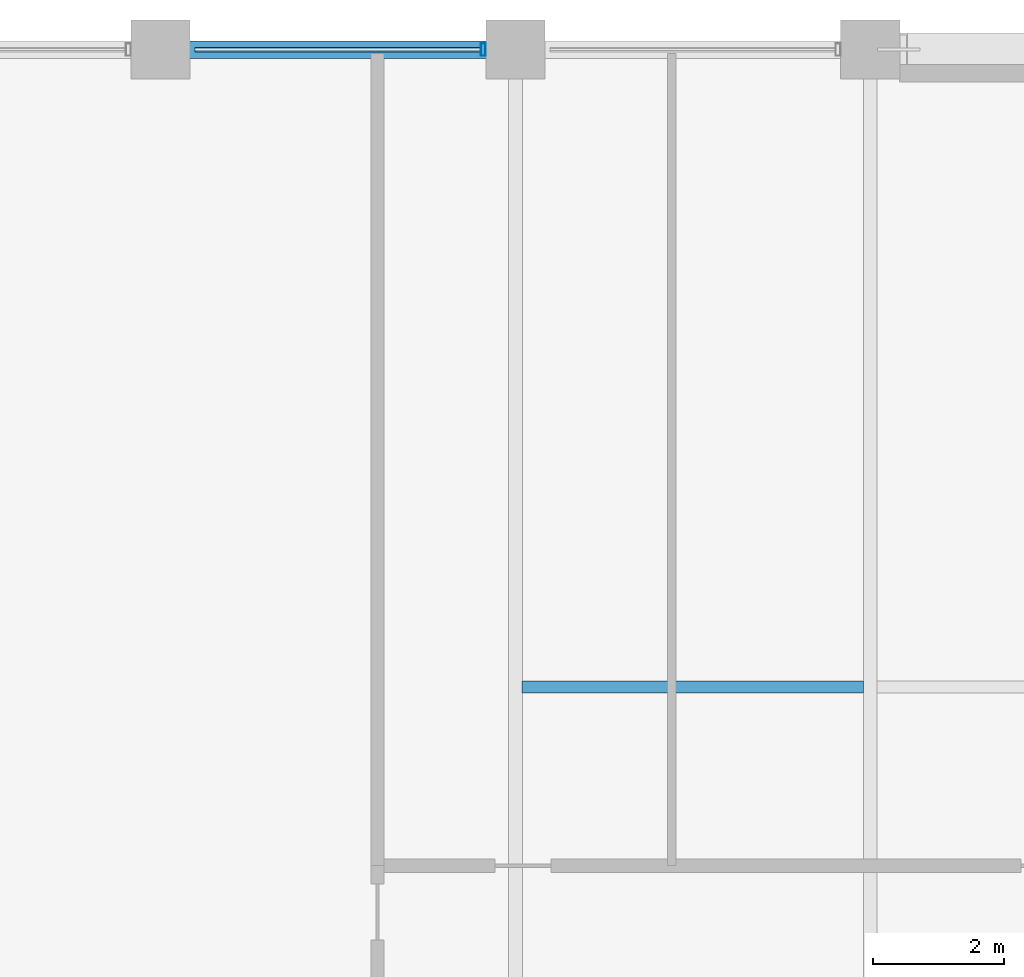
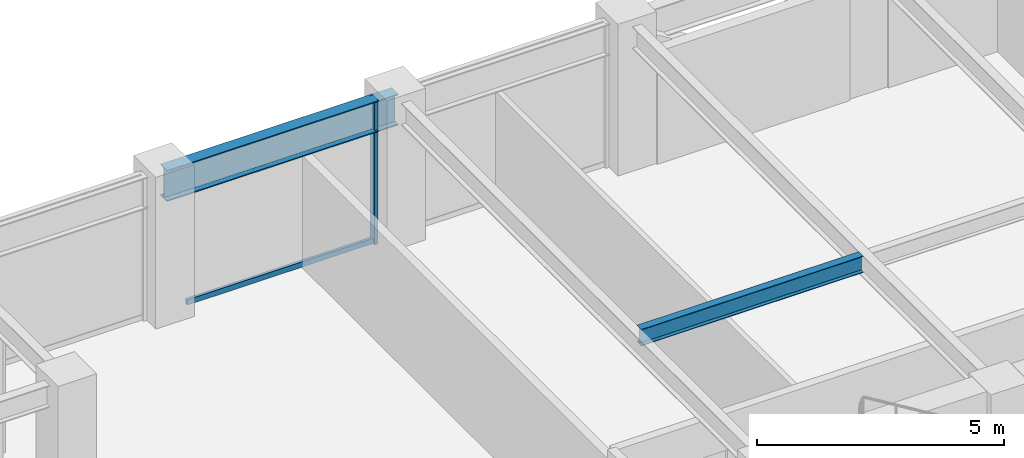
# One storey, part 19 of 32: 2 beams, 2 members, 1 element without a shape of its own.
"""IFC4 building model written with IfcOpenShell, lengths in metres."""

from ifc_helpers import new_model, si_unit, direction, frame, origin, origin_2d, place, context, subcontext, project, spatial, hollow_rectangle, i_section, extrude, material, layer, layer_set, material_profile, profile_set, type_object, element, aggregate, save


model = new_model("IFC4")

# Units and contexts
model_context = context("Model", 3, precision=1e-05, world=origin(), true_north=direction((0.0, 1.0)))
body_context = subcontext(model_context, "Body", "Model", "MODEL_VIEW")
ifc_project = project(units=[si_unit("LENGTHUNIT", "METRE"), si_unit("AREAUNIT", "SQUARE_METRE"), si_unit("VOLUMEUNIT", "CUBIC_METRE"), si_unit("PLANEANGLEUNIT", "RADIAN"), si_unit("MASSUNIT", "GRAM", prefix="KILO")], contexts=[model_context])

# Site, building, storey
site_placement = place(None, origin())
site = spatial("IfcSite", under=ifc_project, at=site_placement, CompositionType="ELEMENT")
building_placement = place(site_placement, origin())
building = spatial("IfcBuilding", under=site, at=building_placement, Name="Surkhivell Harbour Commons", CompositionType="ELEMENT")
storey_placement = place(building_placement, frame((0.0, 0.0, 197.25)))
storey = spatial("IfcBuildingStorey", under=building, at=storey_placement, Name="L51", CompositionType="ELEMENT", Elevation=197.25)

# Beams
ifc_material_1 = material(Name="Steel S355", Category="steel")
ifc_material_profile_1 = material_profile(ifc_material_1, i_section(OverallWidth=0.178955078125, OverallDepth=0.408935546875, WebThickness=0.0087890625, FlangeThickness=0.014404296875, at=origin_2d()), Name="UB406x178x67")
ifc_profile_set_1 = profile_set([ifc_material_profile_1], Name="Steel S355")
beam_type_1 = type_object("IfcBeamType", Name="BM-JST-406", PredefinedType="JOIST", material=ifc_profile_set_1)
beam_1_placement = place(storey_placement, frame((-10.696044921875, 16.199951171875, 3.365478515625), z_axis=(1.0, 0.0, 0.0), x_axis=(0.0, 1.0, 0.0)))
element("IfcBeam", 1, at=beam_1_placement, inside=storey, type_object=beam_type_1, Name="L51 North Composite Joist (-10.8)", PredefinedType="JOIST", context=body_context, shape_type="SweptSolid", body=[
    extrude(i_section(OverallWidth=0.178955078125, OverallDepth=0.408935546875, WebThickness=0.0087890625, FlangeThickness=0.014404296875, at=origin_2d()), origin(), (0.0, 0.0, 1.0), 5.192138671875),
])
ifc_material_profile_2 = material_profile(ifc_material_1, i_section(OverallWidth=0.26806640625, OverallDepth=0.77001953125, WebThickness=0.015625, FlangeThickness=0.025390625, at=origin_2d()), Name="UB762x267x197")
ifc_profile_set_2 = profile_set([ifc_material_profile_2], Name="Steel S355")
beam_type_2 = type_object("IfcBeamType", Name="BM-SPN-762", PredefinedType="SPANDREL", material=ifc_profile_set_2)
beam_2_placement = place(storey_placement, frame((-16.199951171875, 25.89990234375, 3.18505859375), z_axis=(1.0, 0.0, 0.0), x_axis=(0.0, 1.0, 0.0)))
element("IfcBeam", 2, at=beam_2_placement, inside=storey, type_object=beam_type_2, Name="L51 Tube Spandrel (-16.2,25.9)", PredefinedType="SPANDREL", context=body_context, shape_type="SweptSolid", body=[
    extrude(i_section(OverallWidth=0.26806640625, OverallDepth=0.77001953125, WebThickness=0.015625, FlangeThickness=0.025390625, at=origin_2d()), origin(), (0.0, 0.0, 1.0), 5.39990234375),
])

# Curtain wall, members
ifc_material_2 = material(Name="Anodised pale-metal aluminium and insulated glazing", Category="aluminium")
ifc_layer = layer(ifc_material_2, 0.18994140625)
ifc_layer_set = layer_set([ifc_layer], Name="Anodised pale-metal aluminium and insulated glazing")
curtain_wall_type = type_object("IfcCurtainWallType", Name="CW-SYS-Z3", PredefinedType="NOTDEFINED", material=ifc_layer_set)
curtain_wall_placement = place(storey_placement, origin())
curtain_wall = element("IfcCurtainWall", 3, at=curtain_wall_placement, inside=storey, type_object=curtain_wall_type, Name="L51 Curtain Wall CW-L51-E07S2", PredefinedType="NOTDEFINED")
ifc_material_3 = material(Name="Anodised pale-metal aluminium alloy 6063-T6", Category="aluminium")
ifc_material_profile_3 = material_profile(ifc_material_3, hollow_rectangle(XDim=0.074951171875, YDim=0.18994140625, WallThickness=0.00390625, at=origin_2d()), Name="ALU-MULL-75x190")
ifc_profile_set_3 = profile_set([ifc_material_profile_3], Name="Anodised pale-metal aluminium alloy 6063-T6")
member_type_1 = type_object("IfcMemberType", Name="CWM-190", PredefinedType="MULLION", material=ifc_profile_set_3)
member_1_placement = place(storey_placement, frame((-11.28955078125, 25.89990234375, 0.0), z_axis=(0.0, 0.0, 1.0), x_axis=(-1.0, 0.0, 0.0)))
member_1 = element("IfcMember", 4, at=member_1_placement, type_object=member_type_1, Name="CW-Z3 mullion 2", PredefinedType="MULLION", context=body_context, shape_type="SweptSolid", body=[
    extrude(hollow_rectangle(XDim=0.074951171875, YDim=0.18994140625, WallThickness=0.00390625, at=origin_2d()), origin(), (0.0, 0.0, 1.0), 3.570068359375),
])
ifc_material_4 = material(Name="Champagne anodised aluminium alloy 6063-T6", Category="aluminium")
ifc_material_profile_4 = material_profile(ifc_material_4, hollow_rectangle(XDim=0.070068359375, YDim=0.1298828125, WallThickness=0.00341796875, at=origin_2d()), Name="ALU-TRAN-70x130")
ifc_profile_set_4 = profile_set([ifc_material_profile_4], Name="Champagne anodised aluminium alloy 6063-T6")
member_type_2 = type_object("IfcMemberType", Name="CWT-130", PredefinedType="USERDEFINED", material=ifc_profile_set_4)
member_2_placement = place(storey_placement, frame((-11.326904296875, 25.89990234375, 0.06494140625), z_axis=(-1.0, 0.0, 0.0), x_axis=(0.0, -1.0, 0.0)))
member_2 = element("IfcMember", 5, at=member_2_placement, type_object=member_type_2, Name="CW-Z3 transom 2.1", ObjectType="TRANSOM", PredefinedType="USERDEFINED", context=body_context, shape_type="SweptSolid", body=[
    extrude(hollow_rectangle(XDim=0.070068359375, YDim=0.1298828125, WallThickness=0.00341796875, at=origin_2d()), origin(), (0.0, 0.0, 1.0), 4.34619140625),
])
aggregate(curtain_wall, [member_1, member_2])

save(model, "model.ifc")
